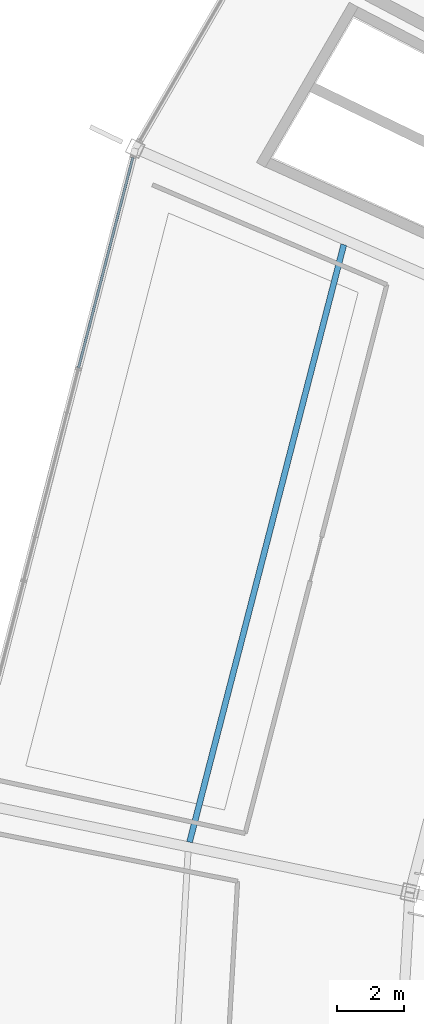
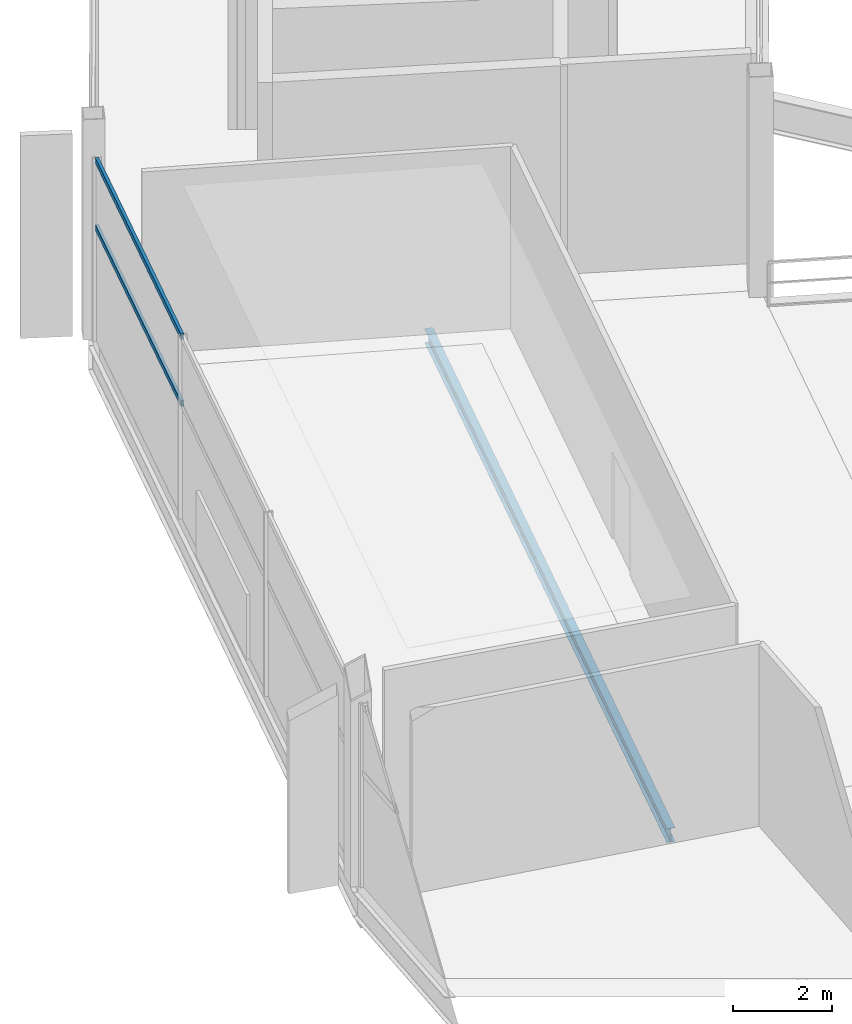
# One storey, part 54 of 186: 2 members, 1 beam, 1 element without a shape of its own.
"""IFC4 building model written with IfcOpenShell, lengths in metres."""

from ifc_helpers import new_model, si_unit, direction, frame, origin, origin_2d, place, context, subcontext, project, spatial, hollow_rectangle, i_section, extrude, material, layer, layer_set, material_profile, profile_set, type_object, element, aggregate, save


model = new_model("IFC4")

# Units and contexts
model_context = context("Model", 3, precision=1e-05, world=origin(), true_north=direction((0.0, 1.0)))
body_context = subcontext(model_context, "Body", "Model", "MODEL_VIEW")
ifc_project = project(units=[si_unit("LENGTHUNIT", "METRE"), si_unit("AREAUNIT", "SQUARE_METRE"), si_unit("VOLUMEUNIT", "CUBIC_METRE"), si_unit("PLANEANGLEUNIT", "RADIAN"), si_unit("MASSUNIT", "GRAM", prefix="KILO")], contexts=[model_context])

# Site, building, storey
site_placement = place(None, origin())
site = spatial("IfcSite", under=ifc_project, at=site_placement, CompositionType="ELEMENT")
building_placement = place(site_placement, origin())
building = spatial("IfcBuilding", under=site, at=building_placement, Name="Kazemori Nagisa Stadium", CompositionType="ELEMENT")
storey_placement = place(building_placement, frame((0.0, 0.0, 20.39990234375)))
storey = spatial("IfcBuildingStorey", under=building, at=storey_placement, Name="L04", CompositionType="ELEMENT", Elevation=20.39990234375)

# Beam
ifc_material_1 = material(Name="Steel SN490B", Category="steel")
ifc_material_profile_1 = material_profile(ifc_material_1, i_section(OverallWidth=0.175048828125, OverallDepth=0.35009765625, WebThickness=0.007080078125, FlangeThickness=0.010986328125, FilletRadius=0.012939453125, at=origin_2d()), Name="H-350x175x7x11")
ifc_profile_set_1 = profile_set([ifc_material_profile_1], Name="Steel SN490B")
beam_type = type_object("IfcBeamType", Name="Beam_BJ-H350", PredefinedType="JOIST", material=ifc_profile_set_1)
beam_placement = place(storey_placement, frame((40.30078125, 137.896728515625, -0.474853515625), z_axis=(-0.249965990044, -0.968254617248, 0.0), x_axis=(0.968254617248, -0.249965990044, 0.0)))
element("IfcBeam", 1, at=beam_placement, inside=storey, type_object=beam_type, Name="Outer bay joist BJ-H350 L04 B13", PredefinedType="JOIST", context=body_context, shape_type="SweptSolid", body=[
    extrude(i_section(OverallWidth=0.175048828125, OverallDepth=0.35009765625, WebThickness=0.007080078125, FlangeThickness=0.010986328125, FilletRadius=0.012939453125, at=origin_2d()), origin(), (0.0, 0.0, 1.0), 18.29736328125),
])

# Curtain wall, members
ifc_material_2 = material(Name="Anodised aluminium 6063-T5", Category="aluminium")
ifc_layer = layer(ifc_material_2, 0.179931640625, Name="Anodised aluminium 6063-T5", Category="aluminium")
ifc_layer_set = layer_set([ifc_layer], Name="Anodised aluminium 6063-T5")
curtain_wall_type = type_object("IfcCurtainWallType", Name="CW_L04R3_98", PredefinedType="USERDEFINED", material=ifc_layer_set)
curtain_wall_placement = place(storey_placement, origin())
curtain_wall = element("IfcCurtainWall", 2, at=curtain_wall_placement, inside=storey, type_object=curtain_wall_type, Name="Unitised curtain wall CW-L04R3-98 L04", ObjectType="UNITISED CURTAIN WALL", PredefinedType="USERDEFINED")
ifc_material_3 = material(Name="Aluminium 6063-T5 anodised", Category="aluminium")
ifc_material_profile_2 = material_profile(ifc_material_3, hollow_rectangle(XDim=0.070068359375, YDim=0.139892578125, WallThickness=0.00390625, at=origin_2d()), Name="ALU-TRAN-70x140x4")
ifc_profile_set_2 = profile_set([ifc_material_profile_2], Name="Aluminium 6063-T5 anodised")
member_type = type_object("IfcMemberType", Name="Transom_T01", PredefinedType="USERDEFINED", material=ifc_profile_set_2)
member_1_placement = place(storey_placement, frame((34.04638671875, 140.483154296875, 2.80859375), z_axis=(-0.249971861357, -0.968253101482, 0.0), x_axis=(0.968253101482, -0.249971861357, 0.0)))
member_1 = element("IfcMember", 3, at=member_1_placement, type_object=member_type, Name="Curtain wall transom CW-L04R3-98-T1-mid", ObjectType="TRANSOM", PredefinedType="USERDEFINED", context=body_context, shape_type="SweptSolid", body=[
    extrude(hollow_rectangle(XDim=0.070068359375, YDim=0.139892578125, WallThickness=0.00390625, at=origin_2d()), origin(), (0.0, 0.0, 1.0), 6.451904296875),
])
member_2_placement = place(storey_placement, frame((34.04638671875, 140.483154296875, 4.460205078125), z_axis=(-0.249971861357, -0.968253101482, 0.0), x_axis=(0.968253101482, -0.249971861357, 0.0)))
member_2 = element("IfcMember", 4, at=member_2_placement, type_object=member_type, Name="Curtain wall transom CW-L04R3-98-T1-head", ObjectType="TRANSOM", PredefinedType="USERDEFINED", context=body_context, shape_type="SweptSolid", body=[
    extrude(hollow_rectangle(XDim=0.070068359375, YDim=0.139892578125, WallThickness=0.00390625, at=origin_2d()), origin(), (0.0, 0.0, 1.0), 6.451904296875),
])
aggregate(curtain_wall, [member_1, member_2])

save(model, "model.ifc")
